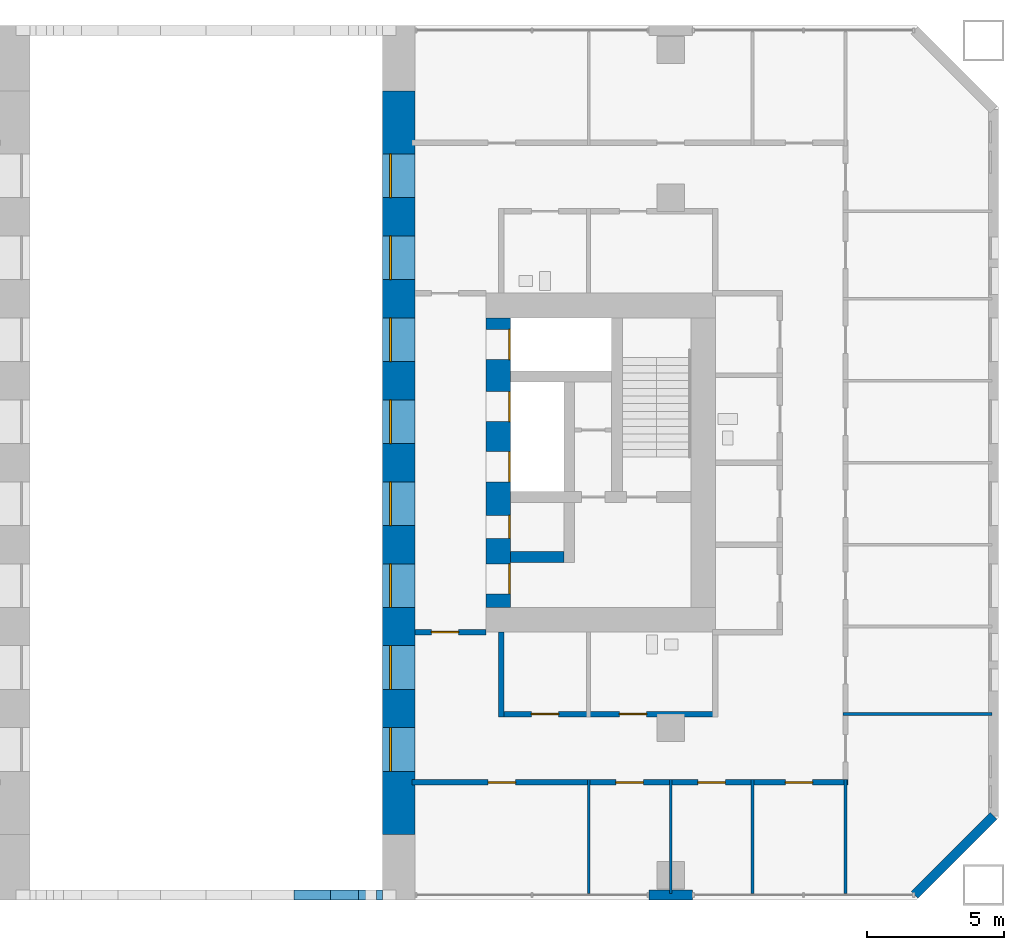
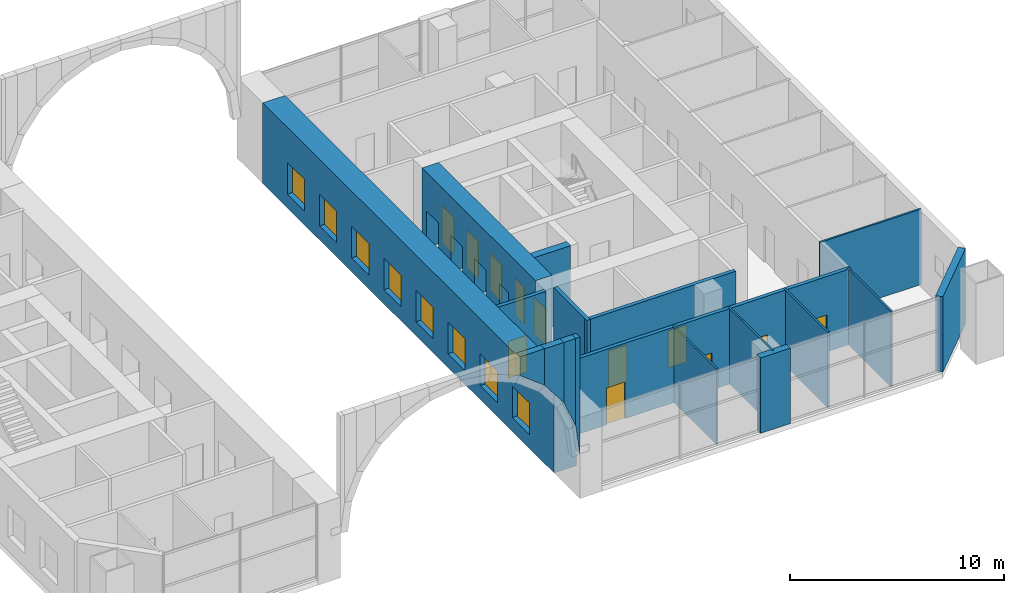
# One storey, part 16 of 21: 18 walls, 12 doors, 8 windows, 20 openings.
"""IFC4 building model written with IfcOpenShell, lengths in metres."""

import ifcopenshell
import ifcopenshell.guid

model = None  # the IFC model being written
_history = None  # IfcOwnerHistory: only IFC2X3 demands one
_inside = {}  # id of a spatial element -> (the spatial element, [elements in it])
_under = {}  # id of a project, library or spatial element -> (it, [spatial elements below it])
_declared = {}  # id of a project -> (the project, [libraries it declares])
_typed = {}  # id of a type object -> (the type object, [elements of that type])
_made_of = {}  # id of a material, layer set ... -> (it, [elements and type objects made of it])


def new_model(schema):
    """Start an empty IFC model of exactly this schema.

    Asked for "IFC4X3", IfcOpenShell would pick the latest addendum, in which some entities
    have other attributes; the version numbers below select the first issue.
    IFC2X3 requires an IfcOwnerHistory on every rooted entity: one is made here for all.
    """
    global model, _history
    if schema == "IFC4X3":
        model = ifcopenshell.file(schema_version=(4, 3, 0, 0))
    else:
        model = ifcopenshell.file(schema=schema)
    _inside.clear()
    _under.clear()
    _declared.clear()
    _typed.clear()
    _made_of.clear()
    _history = None
    if model.schema == "IFC2X3":
        org = make("IfcOrganization", Name="unknown")
        user = make(
            "IfcPersonAndOrganization",
            ThePerson=make("IfcPerson", FamilyName="unknown"),
            TheOrganization=org,
        )
        app = make(
            "IfcApplication",
            ApplicationDeveloper=org,
            Version="unknown",
            ApplicationFullName="unknown",
            ApplicationIdentifier="unknown",
        )
        _history = make(
            "IfcOwnerHistory",
            OwningUser=user,
            OwningApplication=app,
            ChangeAction="ADDED",
            CreationDate=0,
        )
    return model


def make(cls, **values):
    """One entity of the class cls with the attributes given. An attribute that is None is left unset."""
    return model.create_entity(
        cls, **{name: value for name, value in values.items() if value is not None}
    )


def rooted(cls, **values):
    """An entity with a GlobalId (a new one), such as an element, a storey or a relation."""
    return make(cls, GlobalId=ifcopenshell.guid.new(), OwnerHistory=_history, **values)


def si_unit(unit_type, name, prefix=None):
    """IfcSIUnit, for example si_unit("LENGTHUNIT", "METRE", prefix="MILLI")."""
    return make("IfcSIUnit", UnitType=unit_type, Prefix=prefix, Name=name)


def assignment(units):
    """IfcUnitAssignment: the units of a project."""
    return None if units is None else make("IfcUnitAssignment", Units=units)


def point(xyz):
    """IfcCartesianPoint."""
    return None if xyz is None else make("IfcCartesianPoint", Coordinates=xyz)


def direction(xyz):
    """IfcDirection."""
    return None if xyz is None else make("IfcDirection", DirectionRatios=xyz)


def frame(location, z_axis=None, x_axis=None):
    """IfcAxis2Placement3D, a coordinate frame: its origin and axes. An axis left out is left unset."""
    return make(
        "IfcAxis2Placement3D",
        Location=point(location),
        Axis=direction(z_axis),
        RefDirection=direction(x_axis),
    )


def frame_2d(location, x_axis=None):
    """IfcAxis2Placement2D, a coordinate frame in the plane: its origin and x axis."""
    return make(
        "IfcAxis2Placement2D", Location=point(location), RefDirection=direction(x_axis)
    )


def origin():
    """The frame at (0, 0, 0) with its axes left unset."""
    return frame((0.0, 0.0, 0.0))


def place(relative_to, where):
    """IfcLocalPlacement: puts the frame where relative to a parent placement (None: the world)."""
    return make(
        "IfcLocalPlacement", PlacementRelTo=relative_to, RelativePlacement=where
    )


def context(
    kind, dimensions, precision=None, world=None, true_north=None, identifier=None
):
    """IfcGeometricRepresentationContext, for example the 3D "Model" context."""
    return make(
        "IfcGeometricRepresentationContext",
        ContextIdentifier=identifier,
        ContextType=kind,
        CoordinateSpaceDimension=dimensions,
        Precision=precision,
        WorldCoordinateSystem=world,
        TrueNorth=true_north,
    )


def subcontext(parent, identifier, kind, view, scale=None):
    """IfcGeometricRepresentationSubContext, for example "Body" below "Model"."""
    return make(
        "IfcGeometricRepresentationSubContext",
        ContextIdentifier=identifier,
        ContextType=kind,
        ParentContext=parent,
        TargetScale=scale,
        TargetView=view,
    )


def project(units=None, contexts=None):
    """IfcProject with its units and contexts."""
    return rooted(
        "IfcProject",
        Name="project",
        RepresentationContexts=contexts,
        UnitsInContext=assignment(units),
    )


def spatial(cls, under=None, at=None, **own):
    """A site, building, storey or space (cls), placed at a placement, below another one or the project."""
    s = rooted(cls, ObjectPlacement=at, **own)
    if under is not None:
        _under.setdefault(under.id(), (under, []))[1].append(s)
    return s


def polyline(points):
    """IfcPolyline through the points."""
    return make("IfcPolyline", Points=[point(p) for p in points])


def profile(cls, at=None, kind="AREA", **sizes):
    """A parametric profile (cls). Its sizes go by their IFC names, for example OverallWidth=200.0."""
    return make(cls, ProfileType=kind, Position=at, **sizes)


def rectangle(**sizes):
    """IfcRectangleProfileDef."""
    return profile("IfcRectangleProfileDef", **sizes)


def outline(outer, holes=None, kind="AREA"):
    """IfcArbitraryClosedProfileDef: a profile drawn as a closed curve; with holes, ...WithVoids."""
    if holes is None:
        return make("IfcArbitraryClosedProfileDef", ProfileType=kind, OuterCurve=outer)
    return make(
        "IfcArbitraryProfileDefWithVoids",
        ProfileType=kind,
        OuterCurve=outer,
        InnerCurves=holes,
    )


def extrude(swept, where, along, depth):
    """IfcExtrudedAreaSolid: the profile swept, set in the frame where, extruded along a direction by depth."""
    return make(
        "IfcExtrudedAreaSolid",
        SweptArea=swept,
        Position=where,
        ExtrudedDirection=direction(along),
        Depth=depth,
    )


def shape(context_of_items, identifier, shape_type, items):
    """IfcShapeRepresentation: the items that make up one representation, for example the "Body"."""
    return make(
        "IfcShapeRepresentation",
        ContextOfItems=context_of_items,
        RepresentationIdentifier=identifier,
        RepresentationType=shape_type,
        Items=items,
    )


def material(Name=None, Category=None):
    """IfcMaterial."""
    return make("IfcMaterial", Name=Name, Category=Category)


def layer(
    of_material, thickness, ventilated=None, Name=None, Category=None, Priority=None
):
    """IfcMaterialLayer: one layer of a wall or slab, of a material (None: an air gap)."""
    return make(
        "IfcMaterialLayer",
        Material=of_material,
        LayerThickness=thickness,
        IsVentilated=ventilated,
        Name=Name,
        Category=Category,
        Priority=Priority,
    )


def layer_set(layers, Name=None):
    """IfcMaterialLayerSet."""
    return make("IfcMaterialLayerSet", MaterialLayers=layers, LayerSetName=Name)


def made_of(thing, what):
    """Note that an element or type object is made of a material, layer set ...; save() writes the relation."""
    if what is not None:
        _made_of.setdefault(what.id(), (what, []))[1].append(thing)
    return thing


def type_object(cls, material=None, **own):
    """A type object (cls), such as IfcWallType, which elements share."""
    return made_of(rooted(cls, **own), material)


def element(
    cls,
    number,
    at=None,
    inside=None,
    cuts=None,
    type_object=None,
    material=None,
    context=None,
    identifier="Body",
    shape_type=None,
    held_by="IfcProductDefinitionShape",
    body=None,
    shapes=None,
    **own,
):
    """One element of the class cls, such as IfcWall. Its Tag is "e" and its number.

    at: its placement. inside: the storey or other place that contains it. cuts: it is an
    opening in that element (IfcRelVoidsElement). A single representation is given by context,
    identifier, shape_type and body (its items); several are given by shapes. held_by: the class
    of the entity that holds the representations. save() writes the other relations.
    """
    e = rooted(cls, Tag="e%d" % number, ObjectPlacement=at, **own)
    if body is not None:
        shapes = [shape(context, identifier, shape_type, body)]
    if shapes is not None:
        e.Representation = make(held_by, Representations=shapes)
    if inside is not None:
        _inside.setdefault(inside.id(), (inside, []))[1].append(e)
    if cuts is not None:
        rooted(
            "IfcRelVoidsElement", RelatingBuildingElement=cuts, RelatedOpeningElement=e
        )
    if type_object is not None:
        _typed.setdefault(type_object.id(), (type_object, []))[1].append(e)
    return made_of(e, material)


def fill(opening, filler):
    """IfcRelFillsElement: the door or window that sits in an opening."""
    return rooted(
        "IfcRelFillsElement",
        RelatingOpeningElement=opening,
        RelatedBuildingElement=filler,
    )


def aggregate(whole, parts):
    """IfcRelAggregates: a whole, such as a stair, and the parts it consists of."""
    return rooted("IfcRelAggregates", RelatingObject=whole, RelatedObjects=parts)


def save(model, path):
    """Write the relations noted so far, then the file.

    IfcRelAggregates (storeys below a building ...), IfcRelContainedInSpatialStructure (elements
    in a storey), IfcRelDefinesByType, IfcRelAssociatesMaterial and IfcRelDeclares: one each for
    every whole, place, type object, material and project.
    """
    for whole, parts in _under.values():
        aggregate(whole, parts)
    for where, things in _inside.values():
        rooted(
            "IfcRelContainedInSpatialStructure",
            RelatedElements=things,
            RelatingStructure=where,
        )
    for kind, things in _typed.values():
        rooted("IfcRelDefinesByType", RelatedObjects=things, RelatingType=kind)
    for what, things in _made_of.values():
        rooted("IfcRelAssociatesMaterial", RelatedObjects=things, RelatingMaterial=what)
    for by, libraries in _declared.values():
        rooted("IfcRelDeclares", RelatingContext=by, RelatedDefinitions=libraries)
    model.write(path)


model = new_model("IFC4")

# Units and contexts
model_context = context("Model", 3, precision=1e-05, world=origin(), true_north=direction((0.0, 1.0)))
body_context = subcontext(model_context, "Body", "Model", "MODEL_VIEW")
ifc_project = project(units=[si_unit("LENGTHUNIT", "METRE"), si_unit("AREAUNIT", "SQUARE_METRE"), si_unit("VOLUMEUNIT", "CUBIC_METRE"), si_unit("PLANEANGLEUNIT", "RADIAN"), si_unit("MASSUNIT", "GRAM", prefix="KILO")], contexts=[model_context])

# Site, building, storey
site_placement = place(None, origin())
site = spatial("IfcSite", under=ifc_project, at=site_placement, CompositionType="ELEMENT")
building_placement = place(site_placement, origin())
building = spatial("IfcBuilding", under=site, at=building_placement, Name="Tuart Gate Housing", CompositionType="ELEMENT")
storey_placement = place(building_placement, frame((0.0, 0.0, 5.5)))
storey = spatial("IfcBuildingStorey", under=building, at=storey_placement, Name="L01", CompositionType="ELEMENT", Elevation=5.5)

# Walls
ifc_material_1 = material(Name="Brick", Category="masonry")
ifc_layer_1 = layer(ifc_material_1, 0.360107421875)
ifc_layer_set_1 = layer_set([ifc_layer_1], Name="Brick pier and spandrel wall 360")
wall_type_1 = type_object("IfcWallType", Name="Brick pier and spandrel wall 360", PredefinedType="STANDARD", material=ifc_layer_set_1)
wall_1_placement = place(storey_placement, frame((166.199951171875, 54.179931640625, 0.0), z_axis=(0.0, 0.0, 1.0), x_axis=(1.0, 0.0, 0.0)))
element("IfcWall", 1, at=wall_1_placement, inside=storey, type_object=wall_type_1, Name="External wall B-S L01", PredefinedType="STANDARD", context=body_context, shape_type="SweptSolid", body=[
    extrude(rectangle(XDim=1.60009765625, YDim=0.360107421875, at=frame_2d((0.800048828125, 0.0))), origin(), (0.0, 0.0, 1.0), 4.300048828125),
])
wall_2_placement = place(storey_placement, frame((175.92529296875, 54.179931640625, 0.0), z_axis=(0.0, 0.0, 1.0), x_axis=(0.707106781187, 0.707106781187, 0.0)))
element("IfcWall", 2, at=wall_2_placement, inside=storey, type_object=wall_type_1, Name="External wall B-SE L01", PredefinedType="STANDARD", context=body_context, shape_type="SweptSolid", body=[
    extrude(rectangle(XDim=4.09375, YDim=0.360107421875, at=frame_2d((2.046875, 0.0))), origin(), (0.0, 0.0, 1.0), 4.300048828125),
])
wall_3_placement = place(storey_placement, frame((153.22509765625, 54.179931640625, 6.810791015625), z_axis=(0.0, 0.0, 1.0), x_axis=(1.0, 0.0, 0.0)))
element("IfcWall", 3, at=wall_3_placement, inside=storey, type_object=wall_type_1, Name="Arch spandrel B-S", PredefinedType="STANDARD", context=body_context, shape_type="SweptSolid", body=[
    extrude(outline(polyline([(0.0, 1.025146484375), (1.335693359375, 0.0), (1.335693359375, 2.089111328125), (0.0, 2.089111328125), (0.0, 1.025146484375)])), frame((0.0, 0.18017578125, 0.0), z_axis=(0.0, -1.0, 0.0), x_axis=(1.0, 0.0, 0.0)), (0.0, 0.0, 1.0), 0.360107421875),
])
wall_4_placement = place(storey_placement, frame((154.560791015625, 54.179931640625, 5.47509765625), z_axis=(0.0, 0.0, 1.0), x_axis=(1.0, 0.0, 0.0)))
element("IfcWall", 4, at=wall_4_placement, inside=storey, type_object=wall_type_1, Name="Arch spandrel B-S", PredefinedType="STANDARD", context=body_context, shape_type="SweptSolid", body=[
    extrude(outline(polyline([(0.0, 1.335693359375), (1.025146484375, 0.0), (1.025146484375, 3.4248046875), (0.0, 3.4248046875), (0.0, 1.335693359375)])), frame((0.0, 0.18017578125, 0.0), z_axis=(0.0, -1.0, 0.0), x_axis=(1.0, 0.0, 0.0)), (0.0, 0.0, 1.0), 0.360107421875),
])
wall_5_placement = place(storey_placement, frame((155.5859375, 54.179931640625, 3.91943359375), z_axis=(0.0, 0.0, 1.0), x_axis=(1.0, 0.0, 0.0)))
element("IfcWall", 5, at=wall_5_placement, inside=storey, type_object=wall_type_1, Name="Arch spandrel B-S", PredefinedType="STANDARD", context=body_context, shape_type="SweptSolid", body=[
    extrude(outline(polyline([(0.0, 1.5556640625), (0.644287109375, 0.0), (0.644287109375, 4.98046875), (0.0, 4.98046875), (0.0, 1.5556640625)])), frame((0.0, 0.18017578125, 0.0), z_axis=(0.0, -1.0, 0.0), x_axis=(1.0, 0.0, 0.0)), (0.0, 0.0, 1.0), 0.360107421875),
])
wall_6_placement = place(storey_placement, frame((156.230224609375, 54.179931640625, 2.25), z_axis=(0.0, 0.0, 1.0), x_axis=(1.0, 0.0, 0.0)))
element("IfcWall", 6, at=wall_6_placement, inside=storey, type_object=wall_type_1, Name="Arch spandrel B-S", PredefinedType="STANDARD", context=body_context, shape_type="SweptSolid", body=[
    extrude(outline(polyline([(0.0, 1.66943359375), (0.2197265625, 0.0), (0.2197265625, 6.64990234375), (0.0, 6.64990234375), (0.0, 1.66943359375)])), frame((0.0, 0.18017578125, 0.0), z_axis=(0.0, -1.0, 0.0), x_axis=(1.0, 0.0, 0.0)), (0.0, 0.0, 1.0), 0.360107421875),
])
ifc_material_2 = material(Name="Concrete C60", Category="concrete")
ifc_layer_2 = layer(ifc_material_2, 0.39990234375)
ifc_layer_set_2 = layer_set([ifc_layer_2], Name="Core wall 400 C60")
wall_type_2 = type_object("IfcWallType", Name="Core wall 400 C60", PredefinedType="SHEAR", material=ifc_layer_set_2)
wall_7_placement = place(storey_placement, frame((161.139892578125, 66.550048828125, 0.0), z_axis=(0.0, 0.0, 1.0), x_axis=(1.0, 0.0, 0.0)))
element("IfcWall", 7, at=wall_7_placement, inside=storey, type_object=wall_type_2, Name="Core wall BK.4", PredefinedType="SHEAR", context=body_context, shape_type="SweptSolid", body=[
    extrude(rectangle(XDim=1.9501953125, YDim=0.39990234375, at=frame_2d((0.97509765625, 0.0))), origin(), (0.0, 0.0, 1.0), 4.300048828125),
])

# Wall, openings, doors
ifc_material_3 = material(Name="Concrete C60", Category="concrete")
ifc_layer_3 = layer(ifc_material_3, 0.89990234375)
ifc_layer_set_3 = layer_set([ifc_layer_3], Name="Core wall 900 C60")
wall_type_3 = type_object("IfcWallType", Name="Core wall 900 C60", PredefinedType="SHEAR", material=ifc_layer_set_3)
wall_8_placement = place(storey_placement, frame((160.68994140625, 75.300048828125, 0.0), z_axis=(0.0, 0.0, 1.0), x_axis=(0.0, -1.0, 0.0)))
wall_8 = element("IfcWall", 8, at=wall_8_placement, inside=storey, type_object=wall_type_3, Name="Core wall BK front", PredefinedType="SHEAR", context=body_context, shape_type="SweptSolid", body=[
    extrude(rectangle(XDim=10.60009765625, YDim=0.89990234375, at=frame_2d((5.300048828125, 0.0))), origin(), (0.0, 0.0, 1.0), 4.300048828125),
])
opening_1_placement = place(wall_8_placement, frame((0.425048828125, 0.0, 0.0)))
opening_1 = element("IfcOpeningElement", 9, at=opening_1_placement, cuts=wall_8, Name="Opening LD-FB2", PredefinedType="OPENING", context=body_context, shape_type="SweptSolid", body=[
    extrude(rectangle(XDim=1.10009765625, YDim=2.10009765625, at=frame_2d((0.550048828125, 1.050048828125))), frame((0.0, 0.4599609375, 0.0), z_axis=(0.0, -1.0, 0.0), x_axis=(1.0, 0.0, 0.0)), (0.0, 0.0, 1.0), 0.919921875),
])
opening_2_placement = place(wall_8_placement, frame((2.699951171875, 0.0, 0.0)))
opening_2 = element("IfcOpeningElement", 10, at=opening_2_placement, cuts=wall_8, Name="Opening LD-LB3", PredefinedType="OPENING", context=body_context, shape_type="SweptSolid", body=[
    extrude(rectangle(XDim=1.10009765625, YDim=2.10009765625, at=frame_2d((0.550048828125, 1.050048828125))), frame((0.0, 0.4599609375, 0.0), z_axis=(0.0, -1.0, 0.0), x_axis=(1.0, 0.0, 0.0)), (0.0, 0.0, 1.0), 0.919921875),
])
opening_3_placement = place(wall_8_placement, frame((4.89990234375, 0.0, 0.0)))
opening_3 = element("IfcOpeningElement", 11, at=opening_3_placement, cuts=wall_8, Name="Opening LD-LB4", PredefinedType="OPENING", context=body_context, shape_type="SweptSolid", body=[
    extrude(rectangle(XDim=1.10009765625, YDim=2.10009765625, at=frame_2d((0.550048828125, 1.050048828125))), frame((0.0, 0.4599609375, 0.0), z_axis=(0.0, -1.0, 0.0), x_axis=(1.0, 0.0, 0.0)), (0.0, 0.0, 1.0), 0.919921875),
])
opening_4_placement = place(wall_8_placement, frame((9.0, 0.0, 0.0)))
opening_4 = element("IfcOpeningElement", 12, at=opening_4_placement, cuts=wall_8, Name="Opening D3150", PredefinedType="OPENING", context=body_context, shape_type="SweptSolid", body=[
    extrude(rectangle(XDim=1.10009765625, YDim=2.10009765625, at=frame_2d((0.550048828125, 1.050048828125))), frame((0.0, 0.4599609375, 0.0), z_axis=(0.0, -1.0, 0.0), x_axis=(1.0, 0.0, 0.0)), (0.0, 0.0, 1.0), 0.919921875),
])
opening_5_placement = place(wall_8_placement, frame((7.22509765625, 0.0, 0.0)))
opening_5 = element("IfcOpeningElement", 13, at=opening_5_placement, cuts=wall_8, Name="Opening D3151", PredefinedType="OPENING", context=body_context, shape_type="SweptSolid", body=[
    extrude(rectangle(XDim=0.85009765625, YDim=2.10009765625, at=frame_2d((0.425048828125, 1.050048828125))), frame((0.0, 0.4599609375, 0.0), z_axis=(0.0, -1.0, 0.0), x_axis=(1.0, 0.0, 0.0)), (0.0, 0.0, 1.0), 0.919921875),
])
ifc_material_4 = material(Name="Stainless steel", Category="steel")
door_type_1 = type_object("IfcDoorType", Name="Landing door 1100 x 2100", OperationType="DOUBLE_DOOR_SLIDING", PredefinedType="DOOR", material=ifc_material_4)
door_1_placement = place(opening_1_placement, origin())
door_1 = element("IfcDoor", 14, at=door_1_placement, inside=storey, type_object=door_type_1, Name="Lift landing door FB2", OperationType="DOUBLE_DOOR_SLIDING", OverallHeight=2.10009765625, OverallWidth=1.10009765625, PredefinedType="DOOR", context=body_context, shape_type="SweptSolid", body=[
    extrude(rectangle(XDim=1.10009765625, YDim=2.10009765625, at=frame_2d((0.550048828125, 1.050048828125))), frame((0.0, 0.43505859375, 0.0), z_axis=(0.0, -1.0, 0.0), x_axis=(1.0, 0.0, 0.0)), (0.0, 0.0, 1.0), 0.050048828125),
])
fill(opening_1, door_1)
door_2_placement = place(opening_2_placement, origin())
door_2 = element("IfcDoor", 15, at=door_2_placement, inside=storey, type_object=door_type_1, Name="Lift landing door LB3", OperationType="DOUBLE_DOOR_SLIDING", OverallHeight=2.10009765625, OverallWidth=1.10009765625, PredefinedType="DOOR", context=body_context, shape_type="SweptSolid", body=[
    extrude(rectangle(XDim=1.10009765625, YDim=2.10009765625, at=frame_2d((0.550048828125, 1.050048828125))), frame((0.0, 0.43505859375, 0.0), z_axis=(0.0, -1.0, 0.0), x_axis=(1.0, 0.0, 0.0)), (0.0, 0.0, 1.0), 0.050048828125),
])
fill(opening_2, door_2)
door_3_placement = place(opening_3_placement, origin())
door_3 = element("IfcDoor", 16, at=door_3_placement, inside=storey, type_object=door_type_1, Name="Lift landing door LB4", OperationType="DOUBLE_DOOR_SLIDING", OverallHeight=2.10009765625, OverallWidth=1.10009765625, PredefinedType="DOOR", context=body_context, shape_type="SweptSolid", body=[
    extrude(rectangle(XDim=1.10009765625, YDim=2.10009765625, at=frame_2d((0.550048828125, 1.050048828125))), frame((0.0, 0.43505859375, 0.0), z_axis=(0.0, -1.0, 0.0), x_axis=(1.0, 0.0, 0.0)), (0.0, 0.0, 1.0), 0.050048828125),
])
fill(opening_3, door_3)
ifc_material_5 = material(Name="Steel fire door", Category="steel")
door_type_2 = type_object("IfcDoorType", Name="Lobby door 1100 x 2100", OperationType="SINGLE_SWING_LEFT", PredefinedType="DOOR", material=ifc_material_5)
door_4_placement = place(opening_4_placement, origin())
door_4 = element("IfcDoor", 17, at=door_4_placement, inside=storey, type_object=door_type_2, Name="Lobby entry door BK.EN", OperationType="SINGLE_SWING_LEFT", OverallHeight=2.10009765625, OverallWidth=1.10009765625, PredefinedType="DOOR", context=body_context, shape_type="SweptSolid", body=[
    extrude(rectangle(XDim=1.10009765625, YDim=2.10009765625, at=frame_2d((0.550048828125, 1.050048828125))), frame((0.0, 0.43505859375, 0.0), z_axis=(0.0, -1.0, 0.0), x_axis=(1.0, 0.0, 0.0)), (0.0, 0.0, 1.0), 0.050048828125),
])
fill(opening_4, door_4)
ifc_material_6 = material(Name="Steel fire door", Category="steel")
door_type_3 = type_object("IfcDoorType", Name="Service door 850 x 2100", OperationType="SINGLE_SWING_LEFT", PredefinedType="DOOR", material=ifc_material_6)
door_5_placement = place(opening_5_placement, origin())
door_5 = element("IfcDoor", 18, at=door_5_placement, inside=storey, type_object=door_type_3, Name="Service room door BK.T1", OperationType="SINGLE_SWING_LEFT", OverallHeight=2.10009765625, OverallWidth=0.85009765625, PredefinedType="DOOR", context=body_context, shape_type="SweptSolid", body=[
    extrude(rectangle(XDim=0.85009765625, YDim=2.10009765625, at=frame_2d((0.425048828125, 1.050048828125))), frame((0.0, 0.43505859375, 0.0), z_axis=(0.0, -1.0, 0.0), x_axis=(1.0, 0.0, 0.0)), (0.0, 0.0, 1.0), 0.050048828125),
])
fill(opening_5, door_5)

ifc_material_7 = material(Name="Concrete masonry 15 MPa", Category="masonry")
ifc_layer_4 = layer(ifc_material_7, 0.199951171875)
ifc_layer_set_4 = layer_set([ifc_layer_4], Name="Corridor wall masonry 200")
wall_type_4 = type_object("IfcWallType", Name="Corridor wall masonry 200", PredefinedType="PARTITIONING", material=ifc_layer_set_4)
wall_9_placement = place(storey_placement, frame((157.530029296875, 58.300048828125, 0.0), z_axis=(0.0, 0.0, 1.0), x_axis=(1.0, 0.0, 0.0)))
wall_9 = element("IfcWall", 19, at=wall_9_placement, inside=storey, type_object=wall_type_4, Name="Corridor wall masonry 200", PredefinedType="PARTITIONING", context=body_context, shape_type="SweptSolid", body=[
    extrude(rectangle(XDim=15.969970703125, YDim=0.199951171875, at=frame_2d((7.98486328125, 0.0))), origin(), (0.0, 0.0, 1.0), 4.300048828125),
])
opening_6_placement = place(wall_9_placement, frame((2.794921875, 0.0, 0.0)))
opening_6 = element("IfcOpeningElement", 20, at=opening_6_placement, cuts=wall_9, Name="Opening D3173", PredefinedType="OPENING", context=body_context, shape_type="SweptSolid", body=[
    extrude(rectangle(XDim=1.0, YDim=2.10009765625, at=frame_2d((0.5, 1.050048828125))), frame((0.0, 0.10986328125, 0.0), z_axis=(0.0, -1.0, 0.0), x_axis=(1.0, 0.0, 0.0)), (0.0, 0.0, 1.0), 0.219970703125),
])
opening_7_placement = place(wall_9_placement, frame((7.469970703125, 0.0, 0.0)))
opening_7 = element("IfcOpeningElement", 21, at=opening_7_placement, cuts=wall_9, Name="Opening D3174", PredefinedType="OPENING", context=body_context, shape_type="SweptSolid", body=[
    extrude(rectangle(XDim=1.0, YDim=2.10009765625, at=frame_2d((0.5, 1.050048828125))), frame((0.0, 0.10986328125, 0.0), z_axis=(0.0, -1.0, 0.0), x_axis=(1.0, 0.0, 0.0)), (0.0, 0.0, 1.0), 0.219970703125),
])
opening_8_placement = place(wall_9_placement, frame((10.469970703125, 0.0, 0.0)))
opening_8 = element("IfcOpeningElement", 22, at=opening_8_placement, cuts=wall_9, Name="Opening D3175", PredefinedType="OPENING", context=body_context, shape_type="SweptSolid", body=[
    extrude(rectangle(XDim=1.0, YDim=2.10009765625, at=frame_2d((0.5, 1.050048828125))), frame((0.0, 0.10986328125, 0.0), z_axis=(0.0, -1.0, 0.0), x_axis=(1.0, 0.0, 0.0)), (0.0, 0.0, 1.0), 0.219970703125),
])
opening_9_placement = place(wall_9_placement, frame((13.669921875, 0.0, 0.0)))
opening_9 = element("IfcOpeningElement", 23, at=opening_9_placement, cuts=wall_9, Name="Opening D3176", PredefinedType="OPENING", context=body_context, shape_type="SweptSolid", body=[
    extrude(rectangle(XDim=1.0, YDim=2.10009765625, at=frame_2d((0.5, 1.050048828125))), frame((0.0, 0.10986328125, 0.0), z_axis=(0.0, -1.0, 0.0), x_axis=(1.0, 0.0, 0.0)), (0.0, 0.0, 1.0), 0.219970703125),
])
ifc_material_8 = material(Name="Timber door leaf in steel frame", Category="steel")
door_type_4 = type_object("IfcDoorType", Name="Fire door 1000 RH", OperationType="SINGLE_SWING_RIGHT", PredefinedType="DOOR", material=ifc_material_8)
door_6_placement = place(opening_6_placement, frame((1.0, 0.0, 0.0), z_axis=(0.0, 0.0, 1.0), x_axis=(-1.0, 0.0, 0.0)))
door_6 = element("IfcDoor", 24, at=door_6_placement, inside=storey, type_object=door_type_4, Name="Fire door 1000", OperationType="SINGLE_SWING_RIGHT", OverallHeight=2.10009765625, OverallWidth=1.0, PredefinedType="DOOR", context=body_context, shape_type="SweptSolid", body=[
    extrude(rectangle(XDim=1.0, YDim=2.10009765625, at=frame_2d((0.5, 1.050048828125))), frame((0.0, 0.025146484375, 0.0), z_axis=(0.0, -1.0, 0.0), x_axis=(1.0, 0.0, 0.0)), (0.0, 0.0, 1.0), 0.050048828125),
])
fill(opening_6, door_6)
door_7_placement = place(opening_7_placement, frame((1.0, 0.0, 0.0), z_axis=(0.0, 0.0, 1.0), x_axis=(-1.0, 0.0, 0.0)))
door_7 = element("IfcDoor", 25, at=door_7_placement, inside=storey, type_object=door_type_4, Name="Fire door 1000", OperationType="SINGLE_SWING_RIGHT", OverallHeight=2.10009765625, OverallWidth=1.0, PredefinedType="DOOR", context=body_context, shape_type="SweptSolid", body=[
    extrude(rectangle(XDim=1.0, YDim=2.10009765625, at=frame_2d((0.5, 1.050048828125))), frame((0.0, 0.025146484375, 0.0), z_axis=(0.0, -1.0, 0.0), x_axis=(1.0, 0.0, 0.0)), (0.0, 0.0, 1.0), 0.050048828125),
])
fill(opening_7, door_7)
door_8_placement = place(opening_8_placement, frame((1.0, 0.0, 0.0), z_axis=(0.0, 0.0, 1.0), x_axis=(-1.0, 0.0, 0.0)))
door_8 = element("IfcDoor", 26, at=door_8_placement, inside=storey, type_object=door_type_4, Name="Fire door 1000", OperationType="SINGLE_SWING_RIGHT", OverallHeight=2.10009765625, OverallWidth=1.0, PredefinedType="DOOR", context=body_context, shape_type="SweptSolid", body=[
    extrude(rectangle(XDim=1.0, YDim=2.10009765625, at=frame_2d((0.5, 1.050048828125))), frame((0.0, 0.025146484375, 0.0), z_axis=(0.0, -1.0, 0.0), x_axis=(1.0, 0.0, 0.0)), (0.0, 0.0, 1.0), 0.050048828125),
])
fill(opening_8, door_8)
door_9_placement = place(opening_9_placement, frame((1.0, 0.0, 0.0), z_axis=(0.0, 0.0, 1.0), x_axis=(-1.0, 0.0, 0.0)))
door_9 = element("IfcDoor", 27, at=door_9_placement, inside=storey, type_object=door_type_4, Name="Fire door 1000", OperationType="SINGLE_SWING_RIGHT", OverallHeight=2.10009765625, OverallWidth=1.0, PredefinedType="DOOR", context=body_context, shape_type="SweptSolid", body=[
    extrude(rectangle(XDim=1.0, YDim=2.10009765625, at=frame_2d((0.5, 1.050048828125))), frame((0.0, 0.025146484375, 0.0), z_axis=(0.0, -1.0, 0.0), x_axis=(1.0, 0.0, 0.0)), (0.0, 0.0, 1.0), 0.050048828125),
])
fill(opening_9, door_9)

wall_10_placement = place(storey_placement, frame((160.699951171875, 60.800048828125, 0.0), z_axis=(0.0, 0.0, 1.0), x_axis=(1.0, 0.0, 0.0)))
wall_10 = element("IfcWall", 28, at=wall_10_placement, inside=storey, type_object=wall_type_4, Name="Corridor wall masonry 200", PredefinedType="PARTITIONING", context=body_context, shape_type="SweptSolid", body=[
    extrude(rectangle(XDim=8.0400390625, YDim=0.199951171875, at=frame_2d((4.02001953125, 0.0))), origin(), (0.0, 0.0, 1.0), 4.300048828125),
])
opening_10_placement = place(wall_10_placement, frame((1.199951171875, 0.0, 0.0)))
opening_10 = element("IfcOpeningElement", 29, at=opening_10_placement, cuts=wall_10, Name="Opening D3168", PredefinedType="OPENING", context=body_context, shape_type="SweptSolid", body=[
    extrude(rectangle(XDim=1.0, YDim=2.10009765625, at=frame_2d((0.5, 1.050048828125))), frame((0.0, 0.10986328125, 0.0), z_axis=(0.0, -1.0, 0.0), x_axis=(1.0, 0.0, 0.0)), (0.0, 0.0, 1.0), 0.219970703125),
])
opening_11_placement = place(wall_10_placement, frame((4.419921875, 0.0, 0.0)))
opening_11 = element("IfcOpeningElement", 30, at=opening_11_placement, cuts=wall_10, Name="Opening D3169", PredefinedType="OPENING", context=body_context, shape_type="SweptSolid", body=[
    extrude(rectangle(XDim=1.0, YDim=2.10009765625, at=frame_2d((0.5, 1.050048828125))), frame((0.0, 0.10986328125, 0.0), z_axis=(0.0, -1.0, 0.0), x_axis=(1.0, 0.0, 0.0)), (0.0, 0.0, 1.0), 0.219970703125),
])
ifc_material_9 = material(Name="Timber door leaf in steel frame", Category="steel")
door_type_5 = type_object("IfcDoorType", Name="Fire door 1000", OperationType="SINGLE_SWING_LEFT", PredefinedType="DOOR", material=ifc_material_9)
door_10_placement = place(opening_10_placement, origin())
door_10 = element("IfcDoor", 31, at=door_10_placement, inside=storey, type_object=door_type_5, Name="Fire door 1000", OperationType="SINGLE_SWING_LEFT", OverallHeight=2.10009765625, OverallWidth=1.0, PredefinedType="DOOR", context=body_context, shape_type="SweptSolid", body=[
    extrude(rectangle(XDim=1.0, YDim=2.10009765625, at=frame_2d((0.5, 1.050048828125))), frame((0.0, 0.02490234375, 0.0), z_axis=(0.0, -1.0, 0.0), x_axis=(1.0, 0.0, 0.0)), (0.0, 0.0, 1.0), 0.050048828125),
])
fill(opening_10, door_10)
door_11_placement = place(opening_11_placement, origin())
door_11 = element("IfcDoor", 32, at=door_11_placement, inside=storey, type_object=door_type_5, Name="Fire door 1000", OperationType="SINGLE_SWING_LEFT", OverallHeight=2.10009765625, OverallWidth=1.0, PredefinedType="DOOR", context=body_context, shape_type="SweptSolid", body=[
    extrude(rectangle(XDim=1.0, YDim=2.10009765625, at=frame_2d((0.5, 1.050048828125))), frame((0.0, 0.02490234375, 0.0), z_axis=(0.0, -1.0, 0.0), x_axis=(1.0, 0.0, 0.0)), (0.0, 0.0, 1.0), 0.050048828125),
])
fill(opening_11, door_11)

# Wall
wall_11_placement = place(storey_placement, frame((160.800048828125, 60.699951171875, 0.0), z_axis=(0.0, 0.0, 1.0), x_axis=(0.0, 1.0, 0.0)))
element("IfcWall", 33, at=wall_11_placement, inside=storey, type_object=wall_type_4, Name="Corridor wall masonry 200", PredefinedType="PARTITIONING", context=body_context, shape_type="SweptSolid", body=[
    extrude(rectangle(XDim=3.10009765625, YDim=0.199951171875, at=frame_2d((1.550048828125, 0.0))), origin(), (0.0, 0.0, 1.0), 4.300048828125),
])

# Wall, opening, door
ifc_material_10 = material(Name="Concrete masonry 15 MPa", Category="masonry")
ifc_layer_5 = layer(ifc_material_10, 0.199951171875)
ifc_layer_set_5 = layer_set([ifc_layer_5], Name="Enclosure wall masonry 200")
wall_type_5 = type_object("IfcWallType", Name="Enclosure wall masonry 200", PredefinedType="PARTITIONING", material=ifc_layer_set_5)
wall_12_placement = place(storey_placement, frame((157.64990234375, 63.800048828125, 0.0), z_axis=(0.0, 0.0, 1.0), x_axis=(1.0, 0.0, 0.0)))
wall_12 = element("IfcWall", 34, at=wall_12_placement, inside=storey, type_object=wall_type_5, Name="Enclosure wall masonry 200", PredefinedType="PARTITIONING", context=body_context, shape_type="SweptSolid", body=[
    extrude(rectangle(XDim=2.590087890625, YDim=0.199951171875, at=frame_2d((1.294921875, 0.0))), origin(), (0.0, 0.0, 1.0), 4.300048828125),
])
opening_12_placement = place(wall_12_placement, frame((0.590087890625, 0.0, 0.0)))
opening_12 = element("IfcOpeningElement", 35, at=opening_12_placement, cuts=wall_12, Name="Opening D3165", PredefinedType="OPENING", context=body_context, shape_type="SweptSolid", body=[
    extrude(rectangle(XDim=1.0, YDim=2.10009765625, at=frame_2d((0.5, 1.050048828125))), frame((0.0, 0.10986328125, 0.0), z_axis=(0.0, -1.0, 0.0), x_axis=(1.0, 0.0, 0.0)), (0.0, 0.0, 1.0), 0.219970703125),
])
ifc_material_11 = material(Name="Timber door leaf in steel frame", Category="steel")
door_type_6 = type_object("IfcDoorType", Name="Lobby door 1000 RH", OperationType="SINGLE_SWING_RIGHT", PredefinedType="DOOR", material=ifc_material_11)
door_12_placement = place(opening_12_placement, frame((1.0, 0.0, 0.0), z_axis=(0.0, 0.0, 1.0), x_axis=(-1.0, 0.0, 0.0)))
door_12 = element("IfcDoor", 36, at=door_12_placement, inside=storey, type_object=door_type_6, Name="Lobby door 1000", OperationType="SINGLE_SWING_RIGHT", OverallHeight=2.10009765625, OverallWidth=1.0, PredefinedType="DOOR", context=body_context, shape_type="SweptSolid", body=[
    extrude(rectangle(XDim=1.0, YDim=2.10009765625, at=frame_2d((0.5, 1.050048828125))), frame((0.0, 0.025146484375, 0.0), z_axis=(0.0, -1.0, 0.0), x_axis=(1.0, 0.0, 0.0)), (0.0, 0.0, 1.0), 0.050048828125),
])
fill(opening_12, door_12)

# Walls
ifc_material_12 = material(Name="Gypsum board on steel studs", Category="steel")
ifc_layer_6 = layer(ifc_material_12, 0.10009765625)
ifc_layer_set_6 = layer_set([ifc_layer_6], Name="Partition 100")
wall_type_6 = type_object("IfcWallType", Name="Partition 100", PredefinedType="PARTITIONING", material=ifc_layer_set_6)
wall_13_placement = place(storey_placement, frame((173.300048828125, 60.800048828125, 0.0), z_axis=(0.0, 0.0, 1.0), x_axis=(1.0, 0.0, 0.0)))
element("IfcWall", 37, at=wall_13_placement, inside=storey, type_object=wall_type_6, Name="Partition 100", PredefinedType="PARTITIONING", context=body_context, shape_type="SweptSolid", body=[
    extrude(rectangle(XDim=5.4599609375, YDim=0.10009765625, at=frame_2d((2.72998046875, 0.0))), origin(), (0.0, 0.0, 1.0), 4.300048828125),
])
for number, where, z_axis, x_axis, name in (
    (38, (164.0, 54.239990234375, 0.0), (0.0, 0.0, 1.0), (0.0, 1.0, 0.0), "Partition 100"),
    (39, (167.0, 54.239990234375, 0.0), (0.0, 0.0, 1.0), (0.0, 1.0, 0.0), "Partition 100"),
    (40, (170.0, 54.239990234375, 0.0), (0.0, 0.0, 1.0), (0.0, 1.0, 0.0), "Partition 100"),
):
    element("IfcWall", number, at=place(storey_placement, frame(where, z_axis=z_axis, x_axis=x_axis)), inside=storey, type_object=wall_type_6, Name=name, PredefinedType="PARTITIONING", context=body_context, shape_type="SweptSolid", body=[
        extrude(rectangle(XDim=4.159912109375, YDim=0.10009765625, at=frame_2d((2.080078125, 0.0))), origin(), (0.0, 0.0, 1.0), 4.300048828125),
    ])
wall_14_placement = place(storey_placement, frame((173.39990234375, 54.239990234375, 0.0), z_axis=(0.0, 0.0, 1.0), x_axis=(0.0, 1.0, 0.0)))
element("IfcWall", 41, at=wall_14_placement, inside=storey, type_object=wall_type_6, Name="Partition 100", PredefinedType="PARTITIONING", context=body_context, shape_type="SweptSolid", body=[
    extrude(rectangle(XDim=4.162109375, YDim=0.10009765625, at=frame_2d((2.0810546875, 0.0))), origin(), (0.0, 0.0, 1.0), 4.300048828125),
])

# Wall, openings, windows
ifc_material_13 = material(Name="Concrete C60", Category="concrete")
ifc_layer_7 = layer(ifc_material_13, 1.199951171875)
ifc_layer_set_7 = layer_set([ifc_layer_7], Name="RC wall 1200 C60")
wall_type_7 = type_object("IfcWallType", Name="RC wall 1200 C60", PredefinedType="SHEAR", material=ifc_layer_set_7)
wall_15_placement = place(storey_placement, frame((157.050048828125, 56.39990234375, -0.300048828125), z_axis=(0.0, 0.0, 1.0), x_axis=(0.0, 1.0, 0.0)))
wall_15 = element("IfcWall", 42, at=wall_15_placement, inside=storey, type_object=wall_type_7, Name="Pier wall BE L01", PredefinedType="SHEAR", context=body_context, shape_type="SweptSolid", body=[
    extrude(rectangle(XDim=27.2001953125, YDim=1.199951171875, at=frame_2d((13.60009765625, 0.0))), origin(), (0.0, 0.0, 1.0), 4.60009765625),
])
opening_13_placement = place(wall_15_placement, frame((2.300048828125, 0.0, 0.800048828125)))
opening_13 = element("IfcOpeningElement", 43, at=opening_13_placement, cuts=wall_15, Name="Opening W1", PredefinedType="OPENING", context=body_context, shape_type="SweptSolid", body=[
    extrude(rectangle(XDim=1.60009765625, YDim=1.800048828125, at=frame_2d((0.800048828125, 0.89990234375))), frame((0.0, 0.60986328125, 0.0), z_axis=(0.0, -1.0, 0.0), x_axis=(1.0, 0.0, 0.0)), (0.0, 0.0, 1.0), 1.219970703125),
])
opening_14_placement = place(wall_15_placement, frame((5.300048828125, 0.0, 0.800048828125)))
opening_14 = element("IfcOpeningElement", 44, at=opening_14_placement, cuts=wall_15, Name="Opening W1", PredefinedType="OPENING", context=body_context, shape_type="SweptSolid", body=[
    extrude(rectangle(XDim=1.60009765625, YDim=1.800048828125, at=frame_2d((0.800048828125, 0.89990234375))), frame((0.0, 0.60986328125, 0.0), z_axis=(0.0, -1.0, 0.0), x_axis=(1.0, 0.0, 0.0)), (0.0, 0.0, 1.0), 1.219970703125),
])
opening_15_placement = place(wall_15_placement, frame((8.300048828125, 0.0, 0.800048828125)))
opening_15 = element("IfcOpeningElement", 45, at=opening_15_placement, cuts=wall_15, Name="Opening W1", PredefinedType="OPENING", context=body_context, shape_type="SweptSolid", body=[
    extrude(rectangle(XDim=1.60009765625, YDim=1.800048828125, at=frame_2d((0.800048828125, 0.89990234375))), frame((0.0, 0.60986328125, 0.0), z_axis=(0.0, -1.0, 0.0), x_axis=(1.0, 0.0, 0.0)), (0.0, 0.0, 1.0), 1.219970703125),
])
opening_16_placement = place(wall_15_placement, frame((11.300048828125, 0.0, 0.800048828125)))
opening_16 = element("IfcOpeningElement", 46, at=opening_16_placement, cuts=wall_15, Name="Opening W1", PredefinedType="OPENING", context=body_context, shape_type="SweptSolid", body=[
    extrude(rectangle(XDim=1.60009765625, YDim=1.800048828125, at=frame_2d((0.800048828125, 0.89990234375))), frame((0.0, 0.60986328125, 0.0), z_axis=(0.0, -1.0, 0.0), x_axis=(1.0, 0.0, 0.0)), (0.0, 0.0, 1.0), 1.219970703125),
])
opening_17_placement = place(wall_15_placement, frame((14.300048828125, 0.0, 0.800048828125)))
opening_17 = element("IfcOpeningElement", 47, at=opening_17_placement, cuts=wall_15, Name="Opening W1", PredefinedType="OPENING", context=body_context, shape_type="SweptSolid", body=[
    extrude(rectangle(XDim=1.60009765625, YDim=1.800048828125, at=frame_2d((0.800048828125, 0.89990234375))), frame((0.0, 0.60986328125, 0.0), z_axis=(0.0, -1.0, 0.0), x_axis=(1.0, 0.0, 0.0)), (0.0, 0.0, 1.0), 1.219970703125),
])
opening_18_placement = place(wall_15_placement, frame((17.300048828125, 0.0, 0.800048828125)))
opening_18 = element("IfcOpeningElement", 48, at=opening_18_placement, cuts=wall_15, Name="Opening W1", PredefinedType="OPENING", context=body_context, shape_type="SweptSolid", body=[
    extrude(rectangle(XDim=1.60009765625, YDim=1.800048828125, at=frame_2d((0.800048828125, 0.89990234375))), frame((0.0, 0.60986328125, 0.0), z_axis=(0.0, -1.0, 0.0), x_axis=(1.0, 0.0, 0.0)), (0.0, 0.0, 1.0), 1.219970703125),
])
opening_19_placement = place(wall_15_placement, frame((20.300048828125, 0.0, 0.800048828125)))
opening_19 = element("IfcOpeningElement", 49, at=opening_19_placement, cuts=wall_15, Name="Opening W1", PredefinedType="OPENING", context=body_context, shape_type="SweptSolid", body=[
    extrude(rectangle(XDim=1.60009765625, YDim=1.800048828125, at=frame_2d((0.800048828125, 0.89990234375))), frame((0.0, 0.60986328125, 0.0), z_axis=(0.0, -1.0, 0.0), x_axis=(1.0, 0.0, 0.0)), (0.0, 0.0, 1.0), 1.219970703125),
])
opening_20_placement = place(wall_15_placement, frame((23.300048828125, 0.0, 0.800048828125)))
opening_20 = element("IfcOpeningElement", 50, at=opening_20_placement, cuts=wall_15, Name="Opening W1", PredefinedType="OPENING", context=body_context, shape_type="SweptSolid", body=[
    extrude(rectangle(XDim=1.60009765625, YDim=1.800048828125, at=frame_2d((0.800048828125, 0.89990234375))), frame((0.0, 0.60986328125, 0.0), z_axis=(0.0, -1.0, 0.0), x_axis=(1.0, 0.0, 0.0)), (0.0, 0.0, 1.0), 1.219970703125),
])
ifc_material_14 = material(Name="Aluminium frame with clear glass", Category="aluminium")
window_type = type_object("IfcWindowType", Name="Punched window 1600 x 1800", PartitioningType="SINGLE_PANEL", PredefinedType="WINDOW", material=ifc_material_14)
window_1_placement = place(opening_13_placement, origin())
window_1 = element("IfcWindow", 51, at=window_1_placement, inside=storey, type_object=window_type, Name="Window W1", OverallHeight=1.800048828125, OverallWidth=1.60009765625, PartitioningType="SINGLE_PANEL", PredefinedType="WINDOW", context=body_context, shape_type="SweptSolid", body=[
    extrude(rectangle(XDim=1.60009765625, YDim=1.800048828125, at=frame_2d((0.800048828125, 0.89990234375))), frame((0.0, 0.330078125, 0.0), z_axis=(0.0, -1.0, 0.0), x_axis=(1.0, 0.0, 0.0)), (0.0, 0.0, 1.0), 0.06005859375),
])
fill(opening_13, window_1)
window_2_placement = place(opening_14_placement, origin())
window_2 = element("IfcWindow", 52, at=window_2_placement, inside=storey, type_object=window_type, Name="Window W1", OverallHeight=1.800048828125, OverallWidth=1.60009765625, PartitioningType="SINGLE_PANEL", PredefinedType="WINDOW", context=body_context, shape_type="SweptSolid", body=[
    extrude(rectangle(XDim=1.60009765625, YDim=1.800048828125, at=frame_2d((0.800048828125, 0.89990234375))), frame((0.0, 0.330078125, 0.0), z_axis=(0.0, -1.0, 0.0), x_axis=(1.0, 0.0, 0.0)), (0.0, 0.0, 1.0), 0.06005859375),
])
fill(opening_14, window_2)
window_3_placement = place(opening_15_placement, origin())
window_3 = element("IfcWindow", 53, at=window_3_placement, inside=storey, type_object=window_type, Name="Window W1", OverallHeight=1.800048828125, OverallWidth=1.60009765625, PartitioningType="SINGLE_PANEL", PredefinedType="WINDOW", context=body_context, shape_type="SweptSolid", body=[
    extrude(rectangle(XDim=1.60009765625, YDim=1.800048828125, at=frame_2d((0.800048828125, 0.89990234375))), frame((0.0, 0.330078125, 0.0), z_axis=(0.0, -1.0, 0.0), x_axis=(1.0, 0.0, 0.0)), (0.0, 0.0, 1.0), 0.06005859375),
])
fill(opening_15, window_3)
window_4_placement = place(opening_16_placement, origin())
window_4 = element("IfcWindow", 54, at=window_4_placement, inside=storey, type_object=window_type, Name="Window W1", OverallHeight=1.800048828125, OverallWidth=1.60009765625, PartitioningType="SINGLE_PANEL", PredefinedType="WINDOW", context=body_context, shape_type="SweptSolid", body=[
    extrude(rectangle(XDim=1.60009765625, YDim=1.800048828125, at=frame_2d((0.800048828125, 0.89990234375))), frame((0.0, 0.330078125, 0.0), z_axis=(0.0, -1.0, 0.0), x_axis=(1.0, 0.0, 0.0)), (0.0, 0.0, 1.0), 0.06005859375),
])
fill(opening_16, window_4)
window_5_placement = place(opening_17_placement, origin())
window_5 = element("IfcWindow", 55, at=window_5_placement, inside=storey, type_object=window_type, Name="Window W1", OverallHeight=1.800048828125, OverallWidth=1.60009765625, PartitioningType="SINGLE_PANEL", PredefinedType="WINDOW", context=body_context, shape_type="SweptSolid", body=[
    extrude(rectangle(XDim=1.60009765625, YDim=1.800048828125, at=frame_2d((0.800048828125, 0.89990234375))), frame((0.0, 0.330078125, 0.0), z_axis=(0.0, -1.0, 0.0), x_axis=(1.0, 0.0, 0.0)), (0.0, 0.0, 1.0), 0.06005859375),
])
fill(opening_17, window_5)
window_6_placement = place(opening_18_placement, origin())
window_6 = element("IfcWindow", 56, at=window_6_placement, inside=storey, type_object=window_type, Name="Window W1", OverallHeight=1.800048828125, OverallWidth=1.60009765625, PartitioningType="SINGLE_PANEL", PredefinedType="WINDOW", context=body_context, shape_type="SweptSolid", body=[
    extrude(rectangle(XDim=1.60009765625, YDim=1.800048828125, at=frame_2d((0.800048828125, 0.89990234375))), frame((0.0, 0.330078125, 0.0), z_axis=(0.0, -1.0, 0.0), x_axis=(1.0, 0.0, 0.0)), (0.0, 0.0, 1.0), 0.06005859375),
])
fill(opening_18, window_6)
window_7_placement = place(opening_19_placement, origin())
window_7 = element("IfcWindow", 57, at=window_7_placement, inside=storey, type_object=window_type, Name="Window W1", OverallHeight=1.800048828125, OverallWidth=1.60009765625, PartitioningType="SINGLE_PANEL", PredefinedType="WINDOW", context=body_context, shape_type="SweptSolid", body=[
    extrude(rectangle(XDim=1.60009765625, YDim=1.800048828125, at=frame_2d((0.800048828125, 0.89990234375))), frame((0.0, 0.330078125, 0.0), z_axis=(0.0, -1.0, 0.0), x_axis=(1.0, 0.0, 0.0)), (0.0, 0.0, 1.0), 0.06005859375),
])
fill(opening_19, window_7)
window_8_placement = place(opening_20_placement, origin())
window_8 = element("IfcWindow", 58, at=window_8_placement, inside=storey, type_object=window_type, Name="Window W1", OverallHeight=1.800048828125, OverallWidth=1.60009765625, PartitioningType="SINGLE_PANEL", PredefinedType="WINDOW", context=body_context, shape_type="SweptSolid", body=[
    extrude(rectangle(XDim=1.60009765625, YDim=1.800048828125, at=frame_2d((0.800048828125, 0.89990234375))), frame((0.0, 0.330078125, 0.0), z_axis=(0.0, -1.0, 0.0), x_axis=(1.0, 0.0, 0.0)), (0.0, 0.0, 1.0), 0.06005859375),
])
fill(opening_20, window_8)

save(model, "model.ifc")
